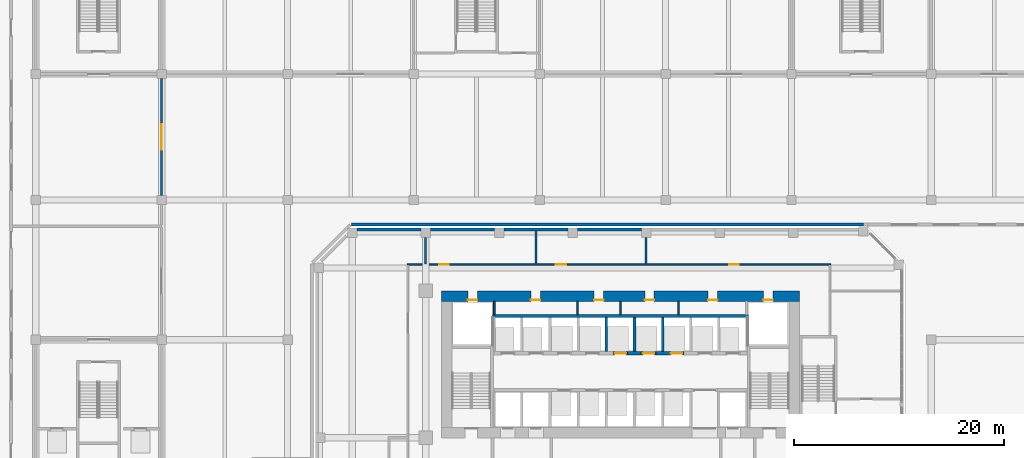
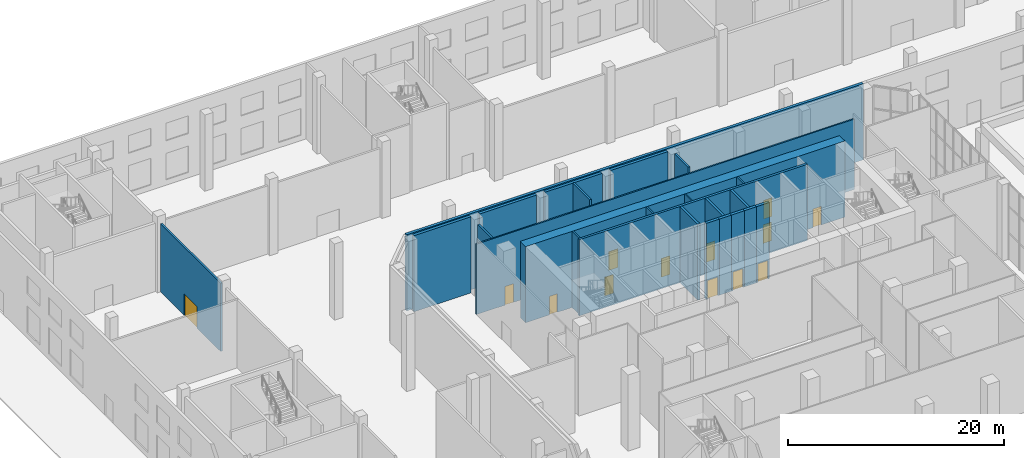
# One storey, part 25 of 43: 24 walls, 13 doors, 13 openings.
"""IFC4 building model written with IfcOpenShell, lengths in metres."""

from ifc_helpers import new_model, si_unit, direction, frame, frame_2d, origin, place, context, subcontext, project, spatial, rectangle, extrude, source, transform, mapped, material, layer, layer_set, type_object, element, fill, save


model = new_model("IFC4")

# Units and contexts
model_context = context("Model", 3, precision=1e-05, world=origin(), true_north=direction((0.0, 1.0)))
body_context = subcontext(model_context, "Body", "Model", "MODEL_VIEW")
ifc_project = project(units=[si_unit("LENGTHUNIT", "METRE"), si_unit("AREAUNIT", "SQUARE_METRE"), si_unit("VOLUMEUNIT", "CUBIC_METRE"), si_unit("PLANEANGLEUNIT", "RADIAN"), si_unit("MASSUNIT", "GRAM", prefix="KILO")], contexts=[model_context])

# Site, building, storey
site_placement = place(None, origin())
site = spatial("IfcSite", under=ifc_project, at=site_placement, CompositionType="ELEMENT")
building_placement = place(site_placement, origin())
building = spatial("IfcBuilding", under=site, at=building_placement, Name="Kilnfold Tower and Market Hall", CompositionType="ELEMENT")
storey_placement = place(building_placement, origin())
storey = spatial("IfcBuildingStorey", under=building, at=storey_placement, Name="L00", CompositionType="ELEMENT", Elevation=0.0)

# Wall, openings, doors
ifc_material_1 = material(Name="Gypsum board on steel studs", Category="steel")
ifc_layer_1 = layer(ifc_material_1, 0.14990234375)
ifc_layer_set_1 = layer_set([ifc_layer_1], Name="Gypsum board on steel studs")
wall_type_1 = type_object("IfcWallType", Name="WALL CORRIDOR 150", PredefinedType="PARTITIONING", material=ifc_layer_set_1)
wall_1_placement = place(storey_placement, frame((-19.27490234375, 24.5, 0.0), z_axis=(0.0, 0.0, 1.0), x_axis=(1.0, 0.0, 0.0)))
wall_1 = element("IfcWall", 1, at=wall_1_placement, inside=storey, type_object=wall_type_1, Name="Partition LY01.24", PredefinedType="PARTITIONING", context=body_context, shape_type="SweptSolid", body=[
    extrude(rectangle(XDim=40.349853515625, YDim=0.14990234375, at=frame_2d((20.1748046875, 0.0))), origin(), (0.0, 0.0, 1.0), 7.949951171875),
])
opening_1_placement = place(wall_1_placement, frame((3.06689453125, 0.0, 0.0)))
opening_1 = element("IfcOpeningElement", 2, at=opening_1_placement, cuts=wall_1, Name="Opening D2", PredefinedType="OPENING", context=body_context, shape_type="SweptSolid", body=[
    extrude(rectangle(XDim=0.89990234375, YDim=2.10009765625, at=frame_2d((0.449951171875, 1.050048828125))), frame((0.0, 0.0849609375, 0.0), z_axis=(0.0, -1.0, 0.0), x_axis=(1.0, 0.0, 0.0)), (0.0, 0.0, 1.0), 0.169921875),
])
opening_2_placement = place(wall_1_placement, frame((14.1689453125, 0.0, 0.0)))
opening_2 = element("IfcOpeningElement", 3, at=opening_2_placement, cuts=wall_1, Name="Opening D4", PredefinedType="OPENING", context=body_context, shape_type="SweptSolid", body=[
    extrude(rectangle(XDim=1.0, YDim=2.10009765625, at=frame_2d((0.5, 1.050048828125))), frame((0.0, 0.0849609375, 0.0), z_axis=(0.0, -1.0, 0.0), x_axis=(1.0, 0.0, 0.0)), (0.0, 0.0, 1.0), 0.169921875),
])
opening_3_placement = place(wall_1_placement, frame((30.705078125, 0.0, 0.0)))
opening_3 = element("IfcOpeningElement", 4, at=opening_3_placement, cuts=wall_1, Name="Opening D2", PredefinedType="OPENING", context=body_context, shape_type="SweptSolid", body=[
    extrude(rectangle(XDim=0.89990234375, YDim=2.10009765625, at=frame_2d((0.449951171875, 1.050048828125))), frame((0.0, 0.0849609375, 0.0), z_axis=(0.0, -1.0, 0.0), x_axis=(1.0, 0.0, 0.0)), (0.0, 0.0, 1.0), 0.169921875),
])
ifc_material_2 = material(Name="Timber veneer door leaf in steel frame", Category="steel")
door_type_1 = type_object("IfcDoorType", Name="DOOR ROOM 900 X2100", OperationType="NOTDEFINED", PredefinedType="DOOR", material=ifc_material_2)
door_1_placement = place(opening_1_placement, origin())
door_1 = element("IfcDoor", 5, at=door_1_placement, inside=storey, type_object=door_type_1, Name="Door D2", OperationType="SINGLE_SWING_RIGHT", OverallHeight=2.10009765625, OverallWidth=0.89990234375, PredefinedType="DOOR", context=body_context, shape_type="SweptSolid", body=[
    extrude(rectangle(XDim=0.89990234375, YDim=2.10009765625, at=frame_2d((0.449951171875, 1.050048828125))), frame((0.0, 0.02490234375, 0.0), z_axis=(0.0, -1.0, 0.0), x_axis=(1.0, 0.0, 0.0)), (0.0, 0.0, 1.0), 0.050048828125),
])
fill(opening_1, door_1)
door_2_placement = place(opening_3_placement, origin())
door_2 = element("IfcDoor", 6, at=door_2_placement, inside=storey, type_object=door_type_1, Name="Door D2", OperationType="SINGLE_SWING_RIGHT", OverallHeight=2.10009765625, OverallWidth=0.89990234375, PredefinedType="DOOR", context=body_context, shape_type="SweptSolid", body=[
    extrude(rectangle(XDim=0.89990234375, YDim=2.10009765625, at=frame_2d((0.449951171875, 1.050048828125))), frame((0.0, 0.02490234375, 0.0), z_axis=(0.0, -1.0, 0.0), x_axis=(1.0, 0.0, 0.0)), (0.0, 0.0, 1.0), 0.050048828125),
])
fill(opening_3, door_2)
ifc_material_3 = material(Name="Timber veneer door leaf in steel frame", Category="steel")
door_type_2 = type_object("IfcDoorType", Name="DOOR SERVICE 1000 X2100", OperationType="NOTDEFINED", PredefinedType="DOOR", material=ifc_material_3)
door_3_placement = place(opening_2_placement, origin())
door_3 = element("IfcDoor", 7, at=door_3_placement, inside=storey, type_object=door_type_2, Name="Door D4", OperationType="SINGLE_SWING_LEFT", OverallHeight=2.10009765625, OverallWidth=1.0, PredefinedType="DOOR", context=body_context, shape_type="SweptSolid", body=[
    extrude(rectangle(XDim=1.0, YDim=2.10009765625, at=frame_2d((0.5, 1.050048828125))), frame((0.0, 0.02490234375, 0.0), z_axis=(0.0, -1.0, 0.0), x_axis=(1.0, 0.0, 0.0)), (0.0, 0.0, 1.0), 0.050048828125),
])
fill(opening_2, door_3)

# Walls
ifc_material_4 = material(Name="Gypsum board on steel studs", Category="steel")
ifc_layer_2 = layer(ifc_material_4, 0.199951171875)
ifc_layer_set_2 = layer_set([ifc_layer_2], Name="Gypsum board on steel studs")
wall_type_2 = type_object("IfcWallType", Name="WALL PARTY 200", PredefinedType="PARTITIONING", material=ifc_layer_set_2)
wall_2_placement = place(storey_placement, frame((-17.5, 24.575927734375, 0.0), z_axis=(0.0, 0.0, 1.0), x_axis=(0.0, 1.0, 0.0)))
element("IfcWall", 8, at=wall_2_placement, inside=storey, type_object=wall_type_2, Name="Partition LY01.40", PredefinedType="PARTITIONING", context=body_context, shape_type="SweptSolid", body=[
    extrude(rectangle(XDim=2.524169921875, YDim=0.199951171875, at=frame_2d((1.26220703125, 0.0))), origin(), (0.0, 0.0, 1.0), 7.949951171875),
])
wall_3_placement = place(storey_placement, frame((-7.0, 24.575927734375, 0.0), z_axis=(0.0, 0.0, 1.0), x_axis=(0.0, 1.0, 0.0)))
element("IfcWall", 9, at=wall_3_placement, inside=storey, type_object=wall_type_2, Name="Partition LY01.45", PredefinedType="PARTITIONING", context=body_context, shape_type="SweptSolid", body=[
    extrude(rectangle(XDim=3.174072265625, YDim=0.199951171875, at=frame_2d((1.5869140625, 0.0))), origin(), (0.0, 0.0, 1.0), 8.60009765625),
])
wall_4_placement = place(storey_placement, frame((3.5, 24.575927734375, 0.0), z_axis=(0.0, 0.0, 1.0), x_axis=(0.0, 1.0, 0.0)))
element("IfcWall", 10, at=wall_4_placement, inside=storey, type_object=wall_type_2, Name="Partition LY01.47", PredefinedType="PARTITIONING", context=body_context, shape_type="SweptSolid", body=[
    extrude(rectangle(XDim=2.524169921875, YDim=0.199951171875, at=frame_2d((1.26220703125, 0.0))), origin(), (0.0, 0.0, 1.0), 8.60009765625),
])

# Wall, openings, doors
ifc_material_5 = material(Name="Concrete C80", Category="concrete")
ifc_layer_3 = layer(ifc_material_5, 1.0)
ifc_layer_set_3 = layer_set([ifc_layer_3], Name="Concrete C80")
wall_type_3 = type_object("IfcWallType", Name="CORE WALL 1000 C80", PredefinedType="SHEAR", material=ifc_layer_set_3)
shared_shape_1 = source(origin(), body_context, "Body", "SweptSolid", [
    extrude(rectangle(XDim=34.10009765625, YDim=1.0, at=frame_2d((17.050048828125, 0.0))), origin(), (0.0, 0.0, 1.0), 8.60009765625),
])
wall_5_placement = place(storey_placement, frame((-16.0, 21.5, 0.0), z_axis=(0.0, 0.0, 1.0), x_axis=(1.0, 0.0, 0.0)))
wall_5 = element("IfcWall", 11, at=wall_5_placement, inside=storey, type_object=wall_type_3, Name="Core outer wall north", PredefinedType="SHEAR", context=body_context, shape_type="MappedRepresentation", body=[
    mapped(shared_shape_1, transform((0.0, 0.0, 0.0))),
])
opening_4_placement = place(wall_5_placement, frame((8.519775390625, 0.0, 0.0)))
opening_4 = element("IfcOpeningElement", 12, at=opening_4_placement, cuts=wall_5, Name="Opening KD1", PredefinedType="OPENING", context=body_context, shape_type="SweptSolid", body=[
    extrude(rectangle(XDim=0.89990234375, YDim=2.10009765625, at=frame_2d((0.449951171875, 1.050048828125))), frame((0.0, 0.510009765625, 0.0), z_axis=(0.0, -1.0, 0.0), x_axis=(1.0, 0.0, 0.0)), (0.0, 0.0, 1.0), 1.02001953125),
])
opening_5_placement = place(wall_5_placement, frame((14.5498046875, 0.0, 0.0)))
opening_5 = element("IfcOpeningElement", 13, at=opening_5_placement, cuts=wall_5, Name="Opening KD1", PredefinedType="OPENING", context=body_context, shape_type="SweptSolid", body=[
    extrude(rectangle(XDim=0.89990234375, YDim=2.10009765625, at=frame_2d((0.449951171875, 1.050048828125))), frame((0.0, 0.510009765625, 0.0), z_axis=(0.0, -1.0, 0.0), x_axis=(1.0, 0.0, 0.0)), (0.0, 0.0, 1.0), 1.02001953125),
])
opening_6_placement = place(wall_5_placement, frame((19.373779296875, 0.0, 0.0)))
opening_6 = element("IfcOpeningElement", 14, at=opening_6_placement, cuts=wall_5, Name="Opening KD1", PredefinedType="OPENING", context=body_context, shape_type="SweptSolid", body=[
    extrude(rectangle(XDim=0.89990234375, YDim=2.10009765625, at=frame_2d((0.449951171875, 1.050048828125))), frame((0.0, 0.510009765625, 0.0), z_axis=(0.0, -1.0, 0.0), x_axis=(1.0, 0.0, 0.0)), (0.0, 0.0, 1.0), 1.02001953125),
])
opening_7_placement = place(wall_5_placement, frame((25.40380859375, 0.0, 0.0)))
opening_7 = element("IfcOpeningElement", 15, at=opening_7_placement, cuts=wall_5, Name="Opening KD1", PredefinedType="OPENING", context=body_context, shape_type="SweptSolid", body=[
    extrude(rectangle(XDim=0.89990234375, YDim=2.10009765625, at=frame_2d((0.449951171875, 1.050048828125))), frame((0.0, 0.510009765625, 0.0), z_axis=(0.0, -1.0, 0.0), x_axis=(1.0, 0.0, 0.0)), (0.0, 0.0, 1.0), 1.02001953125),
])
opening_8_placement = place(wall_5_placement, frame((2.52490234375, 0.0, 0.0)))
opening_8 = element("IfcOpeningElement", 16, at=opening_8_placement, cuts=wall_5, Name="Opening KD1", PredefinedType="OPENING", context=body_context, shape_type="SweptSolid", body=[
    extrude(rectangle(XDim=0.89990234375, YDim=2.10009765625, at=frame_2d((0.449951171875, 1.050048828125))), frame((0.0, 0.510009765625, 0.0), z_axis=(0.0, -1.0, 0.0), x_axis=(1.0, 0.0, 0.0)), (0.0, 0.0, 1.0), 1.02001953125),
])
opening_9_placement = place(wall_5_placement, frame((30.675048828125, 0.0, 0.0)))
opening_9 = element("IfcOpeningElement", 17, at=opening_9_placement, cuts=wall_5, Name="Opening KD1", PredefinedType="OPENING", context=body_context, shape_type="SweptSolid", body=[
    extrude(rectangle(XDim=0.89990234375, YDim=2.10009765625, at=frame_2d((0.449951171875, 1.050048828125))), frame((0.0, 0.510009765625, 0.0), z_axis=(0.0, -1.0, 0.0), x_axis=(1.0, 0.0, 0.0)), (0.0, 0.0, 1.0), 1.02001953125),
])
ifc_material_6 = material(Name="Steel door set with fire-resisting leaf", Category="steel")
door_type_3 = type_object("IfcDoorType", Name="SERVICE DOOR 900X2100", OperationType="NOTDEFINED", PredefinedType="DOOR", material=ifc_material_6)
door_4_placement = place(opening_4_placement, origin())
door_4 = element("IfcDoor", 18, at=door_4_placement, inside=storey, type_object=door_type_3, Name="Core service door", OperationType="SINGLE_SWING_RIGHT", OverallHeight=2.10009765625, OverallWidth=0.89990234375, PredefinedType="DOOR", context=body_context, shape_type="SweptSolid", body=[
    extrude(rectangle(XDim=0.89990234375, YDim=2.10009765625, at=frame_2d((0.449951171875, 1.050048828125))), frame((0.0, -0.35498046875, 0.0), z_axis=(0.0, -1.0, 0.0), x_axis=(1.0, 0.0, 0.0)), (0.0, 0.0, 1.0), 0.050048828125),
])
fill(opening_4, door_4)
door_5_placement = place(opening_5_placement, origin())
door_5 = element("IfcDoor", 19, at=door_5_placement, inside=storey, type_object=door_type_3, Name="Core service door", OperationType="SINGLE_SWING_LEFT", OverallHeight=2.10009765625, OverallWidth=0.89990234375, PredefinedType="DOOR", context=body_context, shape_type="SweptSolid", body=[
    extrude(rectangle(XDim=0.89990234375, YDim=2.10009765625, at=frame_2d((0.449951171875, 1.050048828125))), frame((0.0, -0.35498046875, 0.0), z_axis=(0.0, -1.0, 0.0), x_axis=(1.0, 0.0, 0.0)), (0.0, 0.0, 1.0), 0.050048828125),
])
fill(opening_5, door_5)
door_6_placement = place(opening_6_placement, origin())
door_6 = element("IfcDoor", 20, at=door_6_placement, inside=storey, type_object=door_type_3, Name="Core service door", OperationType="SINGLE_SWING_RIGHT", OverallHeight=2.10009765625, OverallWidth=0.89990234375, PredefinedType="DOOR", context=body_context, shape_type="SweptSolid", body=[
    extrude(rectangle(XDim=0.89990234375, YDim=2.10009765625, at=frame_2d((0.449951171875, 1.050048828125))), frame((0.0, -0.35498046875, 0.0), z_axis=(0.0, -1.0, 0.0), x_axis=(1.0, 0.0, 0.0)), (0.0, 0.0, 1.0), 0.050048828125),
])
fill(opening_6, door_6)
door_7_placement = place(opening_7_placement, origin())
door_7 = element("IfcDoor", 21, at=door_7_placement, inside=storey, type_object=door_type_3, Name="Core service door", OperationType="SINGLE_SWING_LEFT", OverallHeight=2.10009765625, OverallWidth=0.89990234375, PredefinedType="DOOR", context=body_context, shape_type="SweptSolid", body=[
    extrude(rectangle(XDim=0.89990234375, YDim=2.10009765625, at=frame_2d((0.449951171875, 1.050048828125))), frame((0.0, -0.35498046875, 0.0), z_axis=(0.0, -1.0, 0.0), x_axis=(1.0, 0.0, 0.0)), (0.0, 0.0, 1.0), 0.050048828125),
])
fill(opening_7, door_7)
door_8_placement = place(opening_8_placement, origin())
door_8 = element("IfcDoor", 22, at=door_8_placement, inside=storey, type_object=door_type_3, Name="Electrical riser access door", OperationType="SINGLE_SWING_RIGHT", OverallHeight=2.10009765625, OverallWidth=0.89990234375, PredefinedType="DOOR", context=body_context, shape_type="SweptSolid", body=[
    extrude(rectangle(XDim=0.89990234375, YDim=2.10009765625, at=frame_2d((0.449951171875, 1.050048828125))), frame((0.0, -0.35498046875, 0.0), z_axis=(0.0, -1.0, 0.0), x_axis=(1.0, 0.0, 0.0)), (0.0, 0.0, 1.0), 0.050048828125),
])
fill(opening_8, door_8)
door_9_placement = place(opening_9_placement, origin())
door_9 = element("IfcDoor", 23, at=door_9_placement, inside=storey, type_object=door_type_3, Name="Mechanical riser access door", OperationType="SINGLE_SWING_LEFT", OverallHeight=2.10009765625, OverallWidth=0.89990234375, PredefinedType="DOOR", context=body_context, shape_type="SweptSolid", body=[
    extrude(rectangle(XDim=0.89990234375, YDim=2.10009765625, at=frame_2d((0.449951171875, 1.050048828125))), frame((0.0, -0.35498046875, 0.0), z_axis=(0.0, -1.0, 0.0), x_axis=(1.0, 0.0, 0.0)), (0.0, 0.0, 1.0), 0.050048828125),
])
fill(opening_9, door_9)

# Walls
ifc_material_7 = material(Name="Concrete C80", Category="concrete")
ifc_layer_4 = layer(ifc_material_7, 0.300048828125)
ifc_layer_set_4 = layer_set([ifc_layer_4], Name="Concrete C80")
wall_type_4 = type_object("IfcWallType", Name="CORE WALL 300 C80", PredefinedType="SHEAR", material=ifc_layer_set_4)
shared_shape_2 = source(origin(), body_context, "Body", "SweptSolid", [
    extrude(rectangle(XDim=1.280029296875, YDim=0.300048828125, at=frame_2d((0.64013671875, 0.0))), origin(), (0.0, 0.0, 1.0), 8.60009765625),
])
for number, where, z_axis, x_axis, name in (
    (24, (1.75, 16.050048828125, 0.0), (0.0, 0.0, 1.0), (1.0, 0.0, 0.0), "Core spine wall"),
    (25, (4.429931640625, 16.050048828125, 0.0), (0.0, 0.0, 1.0), (1.0, 0.0, 0.0), "Core spine wall"),
):
    element("IfcWall", number, at=place(storey_placement, frame(where, z_axis=z_axis, x_axis=x_axis)), inside=storey, type_object=wall_type_4, Name=name, PredefinedType="SHEAR", context=body_context, shape_type="MappedRepresentation", body=[
        mapped(shared_shape_2, transform((0.0, 0.0, 0.0))),
    ])
ifc_material_8 = material(Name="Precast concrete C50/60", Category="concrete")
ifc_layer_5 = layer(ifc_material_8, 0.300048828125)
ifc_layer_set_5 = layer_set([ifc_layer_5], Name="Precast concrete C50/60")
wall_type_5 = type_object("IfcWallType", Name="PRECAST WALL 300", PredefinedType="SOLIDWALL", material=ifc_layer_set_5)
shared_shape_3 = source(origin(), body_context, "Body", "SweptSolid", [
    extrude(rectangle(XDim=6.10009765625, YDim=0.300048828125, at=frame_2d((3.050048828125, 0.0))), origin(), (0.0, 0.0, 1.0), 8.60009765625),
])
for number, where, z_axis, x_axis, name in (
    (26, (3.050048828125, 27.85009765625, 0.0), (0.0, 0.0, 1.0), (-1.0, 0.0, 0.0), "Party wall L00 N"),
    (27, (-3.949951171875, 27.85009765625, 0.0), (0.0, 0.0, 1.0), (-1.0, 0.0, 0.0), "Party wall L00 N"),
    (28, (-10.949951171875, 27.85009765625, 0.0), (0.0, 0.0, 1.0), (-1.0, 0.0, 0.0), "Party wall L00 N"),
    (29, (-17.949951171875, 27.85009765625, 0.0), (0.0, 0.0, 1.0), (-1.0, 0.0, 0.0), "Party wall L00 N"),
):
    element("IfcWall", number, at=place(storey_placement, frame(where, z_axis=z_axis, x_axis=x_axis)), inside=storey, type_object=wall_type_5, Name=name, PredefinedType="SOLIDWALL", context=body_context, shape_type="MappedRepresentation", body=[
        mapped(shared_shape_3, transform((0.0, 0.0, 0.0))),
    ])
ifc_material_9 = material(Name="Concrete blockwork", Category="masonry")
ifc_layer_6 = layer(ifc_material_9, 0.300048828125)
ifc_layer_set_6 = layer_set([ifc_layer_6], Name="Concrete blockwork")
wall_type_6 = type_object("IfcWallType", Name="HALL EXTERNAL WALL 300 EI 120", PredefinedType="SOLIDWALL", material=ifc_layer_set_6)
shared_shape_4 = source(origin(), body_context, "Body", "SweptSolid", [
    extrude(rectangle(XDim=48.761962890625, YDim=0.300048828125, at=frame_2d((24.380859375, 0.0))), origin(), (0.0, 0.0, 1.0), 8.60009765625),
])
wall_6_placement = place(storey_placement, frame((24.199951171875, 28.300048828125, 0.0), z_axis=(0.0, 0.0, 1.0), x_axis=(-1.0, 0.0, 0.0)))
element("IfcWall", 30, at=wall_6_placement, inside=storey, type_object=wall_type_6, Name="Joint wall MEW-L00.6", PredefinedType="SOLIDWALL", context=body_context, shape_type="MappedRepresentation", body=[
    mapped(shared_shape_4, transform((0.0, 0.0, 0.0))),
])

# Wall, opening, door
ifc_material_10 = material(Name="Gypsum shaft wall system")
ifc_layer_7 = layer(ifc_material_10, 0.300048828125)
ifc_layer_set_7 = layer_set([ifc_layer_7], Name="Gypsum shaft wall system")
wall_type_7 = type_object("IfcWallType", Name="SHAFT WALL 300", PredefinedType="PARTITIONING", material=ifc_layer_set_7)
shared_shape_5 = source(origin(), body_context, "Body", "SweptSolid", [
    extrude(rectangle(XDim=1.39990234375, YDim=0.300048828125, at=frame_2d((0.699951171875, 0.0))), origin(), (0.0, 0.0, 1.0), 8.60009765625),
])
wall_7_placement = place(storey_placement, frame((0.35009765625, 16.050048828125, 0.0), z_axis=(0.0, 0.0, 1.0), x_axis=(1.0, 0.0, 0.0)))
wall_7 = element("IfcWall", 31, at=wall_7_placement, inside=storey, type_object=wall_type_7, Name="Lift shaft front wall", PredefinedType="PARTITIONING", context=body_context, shape_type="MappedRepresentation", body=[
    mapped(shared_shape_5, transform((0.0, 0.0, 0.0))),
])
opening_10_placement = place(wall_7_placement, frame((0.14990234375, 0.0, 0.0)))
opening_10 = element("IfcOpeningElement", 32, at=opening_10_placement, cuts=wall_7, Name="Opening LD2", PredefinedType="OPENING", context=body_context, shape_type="SweptSolid", body=[
    extrude(rectangle(XDim=1.10009765625, YDim=2.10009765625, at=frame_2d((0.550048828125, 1.050048828125))), frame((0.0, 0.16015625, 0.0), z_axis=(0.0, -1.0, 0.0), x_axis=(1.0, 0.0, 0.0)), (0.0, 0.0, 1.0), 0.320068359375),
])
ifc_material_11 = material(Name="Steel door set with fire-resisting leaf", Category="steel")
door_type_4 = type_object("IfcDoorType", Name="LANDING DOOR 1100X2100", OperationType="NOTDEFINED", PredefinedType="DOOR", material=ifc_material_11)
door_10_placement = place(opening_10_placement, origin())
door_10 = element("IfcDoor", 33, at=door_10_placement, inside=storey, type_object=door_type_4, Name="Landing door SH3", OperationType="DOUBLE_DOOR_SLIDING", OverallHeight=2.10009765625, OverallWidth=1.10009765625, PredefinedType="DOOR", context=body_context, shape_type="SweptSolid", body=[
    extrude(rectangle(XDim=1.10009765625, YDim=2.10009765625, at=frame_2d((0.550048828125, 1.050048828125))), frame((0.0, 0.02490234375, 0.0), z_axis=(0.0, -1.0, 0.0), x_axis=(1.0, 0.0, 0.0)), (0.0, 0.0, 1.0), 0.050048828125),
])
fill(opening_10, door_10)

wall_8_placement = place(storey_placement, frame((3.030029296875, 16.050048828125, 0.0), z_axis=(0.0, 0.0, 1.0), x_axis=(1.0, 0.0, 0.0)))
wall_8 = element("IfcWall", 34, at=wall_8_placement, inside=storey, type_object=wall_type_7, Name="Lift shaft front wall", PredefinedType="PARTITIONING", context=body_context, shape_type="MappedRepresentation", body=[
    mapped(shared_shape_5, transform((0.0, 0.0, 0.0))),
])
opening_11_placement = place(wall_8_placement, frame((0.14990234375, 0.0, 0.0)))
opening_11 = element("IfcOpeningElement", 35, at=opening_11_placement, cuts=wall_8, Name="Opening LD2", PredefinedType="OPENING", context=body_context, shape_type="SweptSolid", body=[
    extrude(rectangle(XDim=1.10009765625, YDim=2.10009765625, at=frame_2d((0.550048828125, 1.050048828125))), frame((0.0, 0.16015625, 0.0), z_axis=(0.0, -1.0, 0.0), x_axis=(1.0, 0.0, 0.0)), (0.0, 0.0, 1.0), 0.320068359375),
])
door_11_placement = place(opening_11_placement, origin())
door_11 = element("IfcDoor", 36, at=door_11_placement, inside=storey, type_object=door_type_4, Name="Landing door SH4", OperationType="DOUBLE_DOOR_SLIDING", OverallHeight=2.10009765625, OverallWidth=1.10009765625, PredefinedType="DOOR", context=body_context, shape_type="SweptSolid", body=[
    extrude(rectangle(XDim=1.10009765625, YDim=2.10009765625, at=frame_2d((0.550048828125, 1.050048828125))), frame((0.0, 0.02490234375, 0.0), z_axis=(0.0, -1.0, 0.0), x_axis=(1.0, 0.0, 0.0)), (0.0, 0.0, 1.0), 0.050048828125),
])
fill(opening_11, door_11)

shared_shape_6 = source(origin(), body_context, "Body", "SweptSolid", [
    extrude(rectangle(XDim=1.400146484375, YDim=0.300048828125, at=frame_2d((0.7001953125, 0.0))), origin(), (0.0, 0.0, 1.0), 8.60009765625),
])
wall_9_placement = place(storey_placement, frame((5.7099609375, 16.050048828125, 0.0), z_axis=(0.0, 0.0, 1.0), x_axis=(1.0, 0.0, 0.0)))
wall_9 = element("IfcWall", 37, at=wall_9_placement, inside=storey, type_object=wall_type_7, Name="Lift shaft front wall", PredefinedType="PARTITIONING", context=body_context, shape_type="MappedRepresentation", body=[
    mapped(shared_shape_6, transform((0.0, 0.0, 0.0))),
])
opening_12_placement = place(wall_9_placement, frame((0.14990234375, 0.0, 0.0)))
opening_12 = element("IfcOpeningElement", 38, at=opening_12_placement, cuts=wall_9, Name="Opening LD2", PredefinedType="OPENING", context=body_context, shape_type="SweptSolid", body=[
    extrude(rectangle(XDim=1.10009765625, YDim=2.10009765625, at=frame_2d((0.550048828125, 1.050048828125))), frame((0.0, 0.16015625, 0.0), z_axis=(0.0, -1.0, 0.0), x_axis=(1.0, 0.0, 0.0)), (0.0, 0.0, 1.0), 0.320068359375),
])
door_12_placement = place(opening_12_placement, origin())
door_12 = element("IfcDoor", 39, at=door_12_placement, inside=storey, type_object=door_type_4, Name="Landing door SH5", OperationType="DOUBLE_DOOR_SLIDING", OverallHeight=2.10009765625, OverallWidth=1.10009765625, PredefinedType="DOOR", context=body_context, shape_type="SweptSolid", body=[
    extrude(rectangle(XDim=1.10009765625, YDim=2.10009765625, at=frame_2d((0.550048828125, 1.050048828125))), frame((0.0, 0.02490234375, 0.0), z_axis=(0.0, -1.0, 0.0), x_axis=(1.0, 0.0, 0.0)), (0.0, 0.0, 1.0), 0.050048828125),
])
fill(opening_12, door_12)

# Walls
ifc_material_12 = material(Name="Gypsum shaft wall system")
ifc_layer_8 = layer(ifc_material_12, 0.25)
ifc_layer_set_8 = layer_set([ifc_layer_8], Name="Gypsum shaft wall system")
wall_type_8 = type_object("IfcWallType", Name="SHAFT WALL 250", PredefinedType="PARTITIONING", material=ifc_layer_set_8)
shared_shape_7 = source(origin(), body_context, "Body", "SweptSolid", [
    extrude(rectangle(XDim=24.3701171875, YDim=0.25, at=frame_2d((12.18505859375, 0.0))), origin(), (0.0, 0.0, 1.0), 8.60009765625),
])
wall_10_placement = place(storey_placement, frame((-11.135009765625, 19.60009765625, 0.0), z_axis=(0.0, 0.0, 1.0), x_axis=(1.0, 0.0, 0.0)))
element("IfcWall", 40, at=wall_10_placement, inside=storey, type_object=wall_type_8, Name="Lift shaft wall", PredefinedType="PARTITIONING", context=body_context, shape_type="MappedRepresentation", body=[
    mapped(shared_shape_7, transform((0.0, 0.0, 0.0))),
])
ifc_material_13 = material(Name="Gypsum shaft wall system")
ifc_layer_9 = layer(ifc_material_13, 0.1650390625)
ifc_layer_set_9 = layer_set([ifc_layer_9], Name="Gypsum shaft wall system")
wall_type_9 = type_object("IfcWallType", Name="SHAFT WALL 165", PredefinedType="PARTITIONING", material=ifc_layer_set_9)
shared_shape_8 = source(origin(), body_context, "Body", "SweptSolid", [
    extrude(rectangle(XDim=1.27490234375, YDim=0.1650390625, at=frame_2d((0.637451171875, 0.0))), origin(), (0.0, 0.0, 1.0), 8.60009765625),
])
wall_11_placement = place(storey_placement, frame((-10.967529296875, 19.72509765625, 0.0), z_axis=(0.0, 0.0, 1.0), x_axis=(0.0, 1.0, 0.0)))
element("IfcWall", 41, at=wall_11_placement, inside=storey, type_object=wall_type_9, Name="Lift shaft wall", PredefinedType="PARTITIONING", context=body_context, shape_type="MappedRepresentation", body=[
    mapped(shared_shape_8, transform((0.0, 0.0, 0.0))),
])
shared_shape_9 = source(origin(), body_context, "Body", "SweptSolid", [
    extrude(rectangle(XDim=3.275146484375, YDim=0.25, at=frame_2d((1.6376953125, 0.0))), origin(), (0.0, 0.0, 1.0), 8.60009765625),
])
for number, where, z_axis, x_axis, name in (
    (42, (2.389892578125, 16.199951171875, 0.0), (0.0, 0.0, 1.0), (0.0, 1.0, 0.0), "Lift shaft wall"),
    (43, (5.070068359375, 16.199951171875, 0.0), (0.0, 0.0, 1.0), (0.0, 1.0, 0.0), "Lift shaft wall"),
    (44, (-0.2900390625, 16.199951171875, 0.0), (0.0, 0.0, 1.0), (0.0, 1.0, 0.0), "Lift shaft wall"),
):
    element("IfcWall", number, at=place(storey_placement, frame(where, z_axis=z_axis, x_axis=x_axis)), inside=storey, type_object=wall_type_8, Name=name, PredefinedType="PARTITIONING", context=body_context, shape_type="MappedRepresentation", body=[
        mapped(shared_shape_9, transform((0.0, 0.0, 0.0))),
    ])
ifc_material_14 = material(Name="Gypsum shaft wall system")
ifc_layer_10 = layer(ifc_material_14, 0.14990234375)
ifc_layer_set_10 = layer_set([ifc_layer_10], Name="Gypsum shaft wall system")
wall_type_10 = type_object("IfcWallType", Name="ROOM WALL 150", PredefinedType="PARTITIONING", material=ifc_layer_set_10)
shared_shape_10 = source(origin(), body_context, "Body", "SweptSolid", [
    extrude(rectangle(XDim=1.27490234375, YDim=0.14990234375, at=frame_2d((0.637451171875, 0.0))), origin(), (0.0, 0.0, 1.0), 8.60009765625),
])
for number, where, z_axis, x_axis, name in (
    (45, (-3.05029296875, 19.72509765625, 0.0), (0.0, 0.0, 1.0), (0.0, 1.0, 0.0), "Core room wall"),
    (46, (1.050048828125, 19.72509765625, 0.0), (0.0, 0.0, 1.0), (0.0, 1.0, 0.0), "Core room wall"),
    (47, (6.59765625, 19.72509765625, 0.0), (0.0, 0.0, 1.0), (0.0, 1.0, 0.0), "Core room wall"),
):
    element("IfcWall", number, at=place(storey_placement, frame(where, z_axis=z_axis, x_axis=x_axis)), inside=storey, type_object=wall_type_10, Name=name, PredefinedType="PARTITIONING", context=body_context, shape_type="MappedRepresentation", body=[
        mapped(shared_shape_10, transform((0.0, 0.0, 0.0))),
    ])

# Wall, opening, door
ifc_material_15 = material(Name="Concrete blockwork", Category="masonry")
ifc_layer_11 = layer(ifc_material_15, 0.199951171875)
ifc_layer_set_11 = layer_set([ifc_layer_11], Name="Concrete blockwork")
wall_type_11 = type_object("IfcWallType", Name="HALL PARTITION 200 EI 60", PredefinedType="PARTITIONING", material=ifc_layer_set_11)
shared_shape_11 = source(origin(), body_context, "Body", "SweptSolid", [
    extrude(rectangle(XDim=11.099853515625, YDim=0.199951171875, at=frame_2d((5.5498046875, 0.0))), origin(), (0.0, 0.0, 1.0), 7.699951171875),
])
wall_12_placement = place(storey_placement, frame((-42.64990234375, 31.10009765625, 0.0), z_axis=(0.0, 0.0, 1.0), x_axis=(0.0, 1.0, 0.0)))
wall_12 = element("IfcWall", 48, at=wall_12_placement, inside=storey, type_object=wall_type_11, Name="Partition W-MH-L00.17", PredefinedType="PARTITIONING", context=body_context, shape_type="MappedRepresentation", body=[
    mapped(shared_shape_11, transform((0.0, 0.0, 0.0))),
])
opening_13_placement = place(wall_12_placement, frame((4.35009765625, 0.0, 0.0)))
opening_13 = element("IfcOpeningElement", 49, at=opening_13_placement, cuts=wall_12, Name="Opening MD7-60", PredefinedType="OPENING", context=body_context, shape_type="SweptSolid", body=[
    extrude(rectangle(XDim=2.39990234375, YDim=2.39990234375, at=frame_2d((1.199951171875, 1.199951171875))), frame((0.0, 0.10986328125, 0.0), z_axis=(0.0, -1.0, 0.0), x_axis=(1.0, 0.0, 0.0)), (0.0, 0.0, 1.0), 0.219970703125),
])
ifc_material_16 = material(Name="Aluminium glazing", Category="aluminium")
door_type_5 = type_object("IfcDoorType", Name="HALL DOOR HALL 2400X2400 FD60", OperationType="NOTDEFINED", PredefinedType="DOOR", material=ifc_material_16)
door_13_placement = place(opening_13_placement, origin())
door_13 = element("IfcDoor", 50, at=door_13_placement, inside=storey, type_object=door_type_5, Name="Door MD7-60", OperationType="DOUBLE_DOOR_SINGLE_SWING", OverallHeight=2.39990234375, OverallWidth=2.39990234375, PredefinedType="DOOR", context=body_context, shape_type="SweptSolid", body=[
    extrude(rectangle(XDim=2.39990234375, YDim=2.39990234375, at=frame_2d((1.199951171875, 1.199951171875))), frame((0.0, 0.02490234375, 0.0), z_axis=(0.0, -1.0, 0.0), x_axis=(1.0, 0.0, 0.0)), (0.0, 0.0, 1.0), 0.050048828125),
])
fill(opening_13, door_13)

save(model, "model.ifc")
